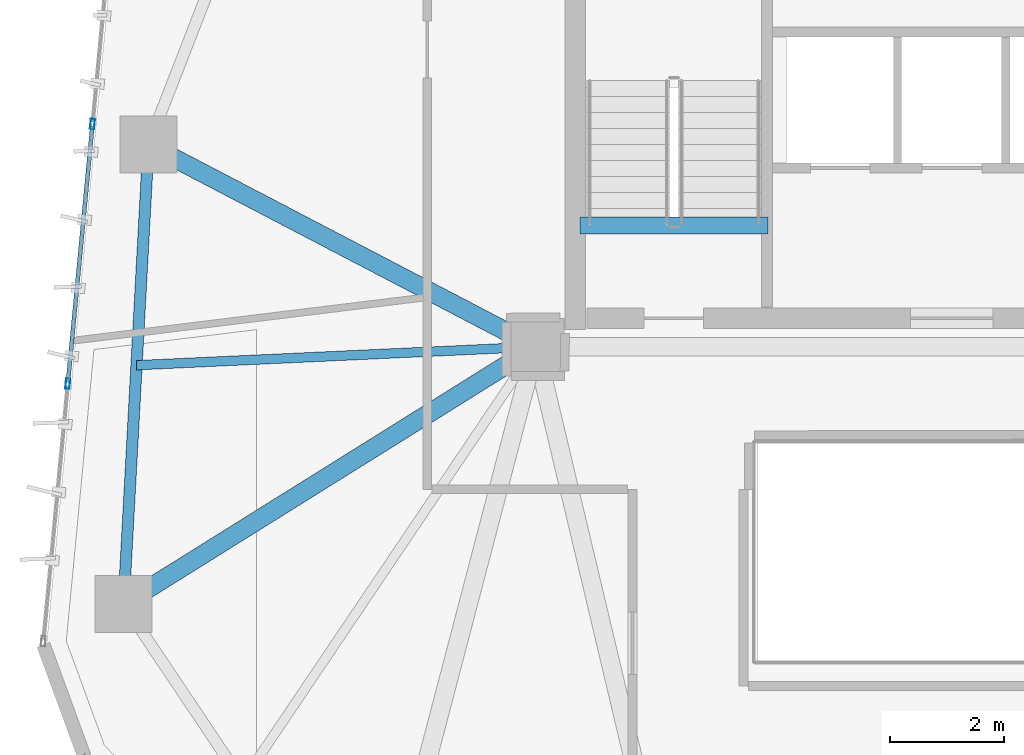
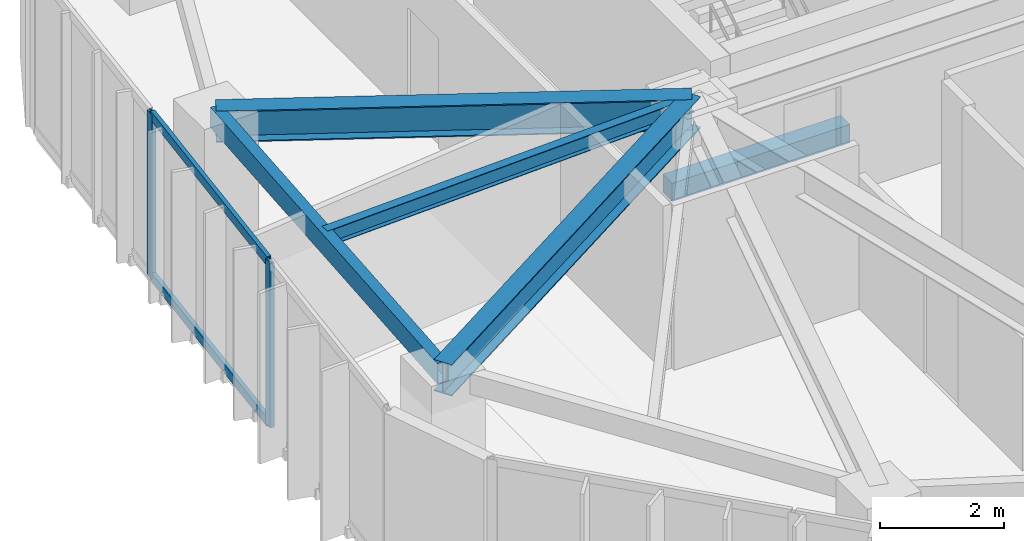
# One storey, part 7 of 20: 5 beams, 4 members, 1 element without a shape of its own.
"""IFC4 building model written with IfcOpenShell, lengths in metres."""

from ifc_helpers import new_model, si_unit, direction, frame, origin, origin_2d, place, context, subcontext, project, spatial, rectangle, hollow_rectangle, i_section, extrude, source, transform, mapped, material, layer, layer_set, material_profile, profile_set, type_object, type_shapes, element, aggregate, save


model = new_model("IFC4")

# Units and contexts
model_context = context("Model", 3, precision=1e-05, world=origin(), true_north=direction((0.0, 1.0)))
body_context = subcontext(model_context, "Body", "Model", "MODEL_VIEW")
ifc_project = project(units=[si_unit("LENGTHUNIT", "METRE"), si_unit("AREAUNIT", "SQUARE_METRE"), si_unit("VOLUMEUNIT", "CUBIC_METRE"), si_unit("PLANEANGLEUNIT", "RADIAN"), si_unit("MASSUNIT", "GRAM", prefix="KILO")], contexts=[model_context])

# Site, building, storey
site_placement = place(None, origin())
site = spatial("IfcSite", under=ifc_project, at=site_placement, CompositionType="ELEMENT")
building_placement = place(site_placement, origin())
building = spatial("IfcBuilding", under=site, at=building_placement, Name="Talar Marvaseh", CompositionType="ELEMENT")
storey_placement = place(building_placement, frame((0.0, 0.0, 211.699951171875)))
storey = spatial("IfcBuildingStorey", under=building, at=storey_placement, Name="L55", CompositionType="ELEMENT", Elevation=211.699951171875)

# Beams
ifc_material_1 = material(Name="Concrete C40/50", Category="concrete")
ifc_material_profile_1 = material_profile(ifc_material_1, rectangle(XDim=0.300048828125, YDim=0.360107421875, at=origin_2d()), Name="RC300x360")
ifc_profile_set_1 = profile_set([ifc_material_profile_1], Name="Concrete C40/50")
beam_type_1 = type_object("IfcBeamType", Name="Concrete Stair Landing Trimmer Beam RC300x360", PredefinedType="SPANDREL", material=ifc_profile_set_1)
beam_1_placement = place(storey_placement, frame((22.780029296875, 27.6298828125, -0.179931640625), z_axis=(-1.0, 0.0, 0.0), x_axis=(0.0, -1.0, 0.0)))
element("IfcBeam", 1, at=beam_1_placement, inside=storey, type_object=beam_type_1, Name="L55 ST-1 Stair Nosing Trimmer Beam", PredefinedType="SPANDREL", context=body_context, shape_type="SweptSolid", body=[
    extrude(rectangle(XDim=0.300048828125, YDim=0.360107421875, at=origin_2d()), origin(), (0.0, 0.0, 1.0), 3.300048828125),
])
ifc_material_2 = material(Name="Steel S355", Category="steel")
ifc_material_profile_2 = material_profile(ifc_material_2, hollow_rectangle(XDim=0.199951171875, YDim=0.39990234375, WallThickness=0.013916015625, at=origin_2d()), Name="RHS400x200x14")
ifc_profile_set_2 = profile_set([ifc_material_profile_2], Name="Steel S355")
beam_type_2 = type_object("IfcBeamType", Name="Zone 3 Perimeter Spandrel Beam RHS400x200x14", PredefinedType="SPANDREL", material=ifc_profile_set_2)
beam_2_placement = place(storey_placement, frame((11.471923828125, 20.986083984375, 3.030029296875), z_axis=(0.054148078426, 0.998532916635, 0.0), x_axis=(-0.998532916635, 0.054148078426, 0.0)))
element("IfcBeam", 2, at=beam_2_placement, inside=storey, type_object=beam_type_2, Name="L55 Zone 3 Perimeter Spandrel Beam RHS400x200x14", PredefinedType="SPANDREL", context=body_context, shape_type="SweptSolid", body=[
    extrude(hollow_rectangle(XDim=0.199951171875, YDim=0.39990234375, WallThickness=0.013916015625, at=origin_2d()), origin(), (0.0, 0.0, 1.0), 8.070556640625),
])
ifc_material_profile_3 = material_profile(ifc_material_2, i_section(OverallWidth=0.324951171875, OverallDepth=0.615966796875, WebThickness=0.013916015625, FlangeThickness=0.021484375, at=origin_2d()), Name="W610x174")
ifc_profile_set_3 = profile_set([ifc_material_profile_3], Name="Steel S355")
beam_type_3 = type_object("IfcBeamType", Name="Zone 3 Radial Floor Girder W610x174", PredefinedType="BEAM", material=ifc_profile_set_3)
beam_3_placement = place(storey_placement, frame((11.471923828125, 20.986083984375, 2.922119140625), z_axis=(0.848188171212, 0.52969503133, 0.0), x_axis=(-0.52969503133, 0.848188171212, 0.0)))
element("IfcBeam", 3, at=beam_3_placement, inside=storey, type_object=beam_type_3, Name="L55 Zone 3 Radial Floor Girder W610x174", PredefinedType="BEAM", context=body_context, shape_type="SweptSolid", body=[
    extrude(i_section(OverallWidth=0.324951171875, OverallDepth=0.615966796875, WebThickness=0.013916015625, FlangeThickness=0.021484375, at=origin_2d()), origin(), (0.0, 0.0, 1.0), 8.521728515625),
])
beam_4_placement = place(storey_placement, frame((11.908935546875, 29.044921875, 2.922119140625), z_axis=(0.886489360055, -0.462748975697, 0.0), x_axis=(0.462748975697, 0.886489360055, 0.0)))
element("IfcBeam", 4, at=beam_4_placement, inside=storey, type_object=beam_type_3, Name="L55 Zone 3 Radial Floor Girder W610x174", PredefinedType="BEAM", context=body_context, shape_type="SweptSolid", body=[
    extrude(i_section(OverallWidth=0.324951171875, OverallDepth=0.615966796875, WebThickness=0.013916015625, FlangeThickness=0.021484375, at=origin_2d()), origin(), (0.0, 0.0, 1.0), 7.66064453125),
])
ifc_material_profile_4 = material_profile(ifc_material_2, i_section(OverallWidth=0.166015625, OverallDepth=0.31298828125, WebThickness=0.006591796875, FlangeThickness=0.01123046875, at=origin_2d()), Name="W310x45")
ifc_profile_set_4 = profile_set([ifc_material_profile_4], Name="Steel S355")
beam_type_4 = type_object("IfcBeamType", Name="Zone 3 Secondary Floor Joist W310x45", PredefinedType="JOIST", material=ifc_profile_set_4)
beam_5_placement = place(storey_placement, frame((11.69921875, 25.1767578125, 3.073486328125), z_axis=(0.998935745755, 0.046123484826, 0.0), x_axis=(-0.046123484826, 0.998935745755, 0.0)))
element("IfcBeam", 5, at=beam_5_placement, inside=storey, type_object=beam_type_4, Name="L55 Zone 3 Secondary Floor Joist W310x45", PredefinedType="JOIST", context=body_context, shape_type="SweptSolid", body=[
    extrude(i_section(OverallWidth=0.166015625, OverallDepth=0.31298828125, WebThickness=0.006591796875, FlangeThickness=0.01123046875, at=origin_2d()), origin(), (0.0, 0.0, 1.0), 7.00830078125),
])

# Curtain wall, members
ifc_material_3 = material(Name="Architectural Aluminium", Category="aluminium")
ifc_layer = layer(ifc_material_3, 0.18994140625)
ifc_layer_set = layer_set([ifc_layer], Name="Architectural Aluminium")
curtain_wall_type = type_object("IfcCurtainWallType", Name="Unitised Solar Atelier Curtain Wall Z3", PredefinedType="NOTDEFINED", material=ifc_layer_set)
curtain_wall_placement = place(storey_placement, origin())
curtain_wall = element("IfcCurtainWall", 6, at=curtain_wall_placement, inside=storey, type_object=curtain_wall_type, Name="L55 Unitised Solar Atelier Curtain Wall Z3", PredefinedType="NOTDEFINED")
ifc_material_profile_5 = material_profile(ifc_material_3, hollow_rectangle(XDim=0.074951171875, YDim=0.179931640625, WallThickness=0.0048828125, at=origin_2d()), Name="RHS180x75x5")
ifc_profile_set_5 = profile_set([ifc_material_profile_5], Name="Architectural Aluminium")
member_type_1 = type_object("IfcMemberType", Name="Unitised Curtain Wall Standard Mullion RHS180x75x5", PredefinedType="MULLION", material=ifc_profile_set_5)
shared_shape_1 = source(origin(), body_context, "Body", "SweptSolid", [
    extrude(hollow_rectangle(XDim=0.074951171875, YDim=0.179931640625, WallThickness=0.0048828125, at=origin_2d()), origin(), (0.0, 0.0, 1.0), 3.22998046875),
])
type_shapes(member_type_1, [shared_shape_1])
member_1_placement = place(storey_placement, frame((10.494384765625, 24.852783203125, 0.0), z_axis=(0.0, 0.0, 1.0), x_axis=(-0.995508620386, 0.094670939239, 0.0)))
member_1 = element("IfcMember", 7, at=member_1_placement, type_object=member_type_1, Name="CW-Z3 mullion 2", PredefinedType="MULLION", context=body_context, shape_type="MappedRepresentation", body=[
    mapped(shared_shape_1, transform((0.0, 0.0, 0.0), x_axis=(1.0, 0.0, 0.0), y_axis=(0.0, 1.0, 0.0), z_axis=(0.0, 0.0, 1.0), scale=1.0)),
])
member_2_placement = place(storey_placement, frame((10.927734375, 29.409423828125, 0.0), z_axis=(0.0, 0.0, 1.0), x_axis=(-0.995508620386, 0.094670939239, 0.0)))
member_2 = element("IfcMember", 8, at=member_2_placement, type_object=member_type_1, Name="CW-Z3 mullion 3", PredefinedType="MULLION", context=body_context, shape_type="MappedRepresentation", body=[
    mapped(shared_shape_1, transform((0.0, 0.0, 0.0), x_axis=(1.0, 0.0, 0.0), y_axis=(0.0, 1.0, 0.0), z_axis=(0.0, 0.0, 1.0), scale=1.0)),
])
ifc_material_profile_6 = material_profile(ifc_material_3, hollow_rectangle(XDim=0.074951171875, YDim=0.179931640625, WallThickness=0.0048828125, at=origin_2d()), Name="RHS180x75x5")
ifc_profile_set_6 = profile_set([ifc_material_profile_6], Name="Architectural Aluminium")
member_type_2 = type_object("IfcMemberType", Name="Unitised Curtain Wall Transom RHS180x75x5", PredefinedType="USERDEFINED", material=ifc_profile_set_6)
shared_shape_2 = source(origin(), body_context, "Body", "SweptSolid", [
    extrude(hollow_rectangle(XDim=0.074951171875, YDim=0.179931640625, WallThickness=0.0048828125, at=origin_2d()), origin(), (0.0, 0.0, 1.0), 4.502197265625),
])
type_shapes(member_type_2, [shared_shape_2])
member_3_placement = place(storey_placement, frame((10.497802734375, 24.89013671875, 0.03759765625), z_axis=(0.094681139419, 0.995507650316, 0.0), x_axis=(-0.995507650316, 0.094681139419, 0.0)))
member_3 = element("IfcMember", 9, at=member_3_placement, type_object=member_type_2, Name="CW-Z3 transom 2.1", ObjectType="TRANSOM", PredefinedType="USERDEFINED", context=body_context, shape_type="MappedRepresentation", body=[
    mapped(shared_shape_2, transform((0.0, 0.0, 0.0), x_axis=(1.0, 0.0, 0.0), y_axis=(0.0, 1.0, 0.0), z_axis=(0.0, 0.0, 1.0), scale=1.0)),
])
member_4_placement = place(storey_placement, frame((10.497802734375, 24.89013671875, 3.192626953125), z_axis=(0.094681139419, 0.995507650316, 0.0), x_axis=(-0.995507650316, 0.094681139419, 0.0)))
member_4 = element("IfcMember", 10, at=member_4_placement, type_object=member_type_2, Name="CW-Z3 transom 2.2", ObjectType="TRANSOM", PredefinedType="USERDEFINED", context=body_context, shape_type="MappedRepresentation", body=[
    mapped(shared_shape_2, transform((0.0, 0.0, 0.0), x_axis=(1.0, 0.0, 0.0), y_axis=(0.0, 1.0, 0.0), z_axis=(0.0, 0.0, 1.0), scale=1.0)),
])
aggregate(curtain_wall, [member_1, member_2, member_3, member_4])

save(model, "model.ifc")
